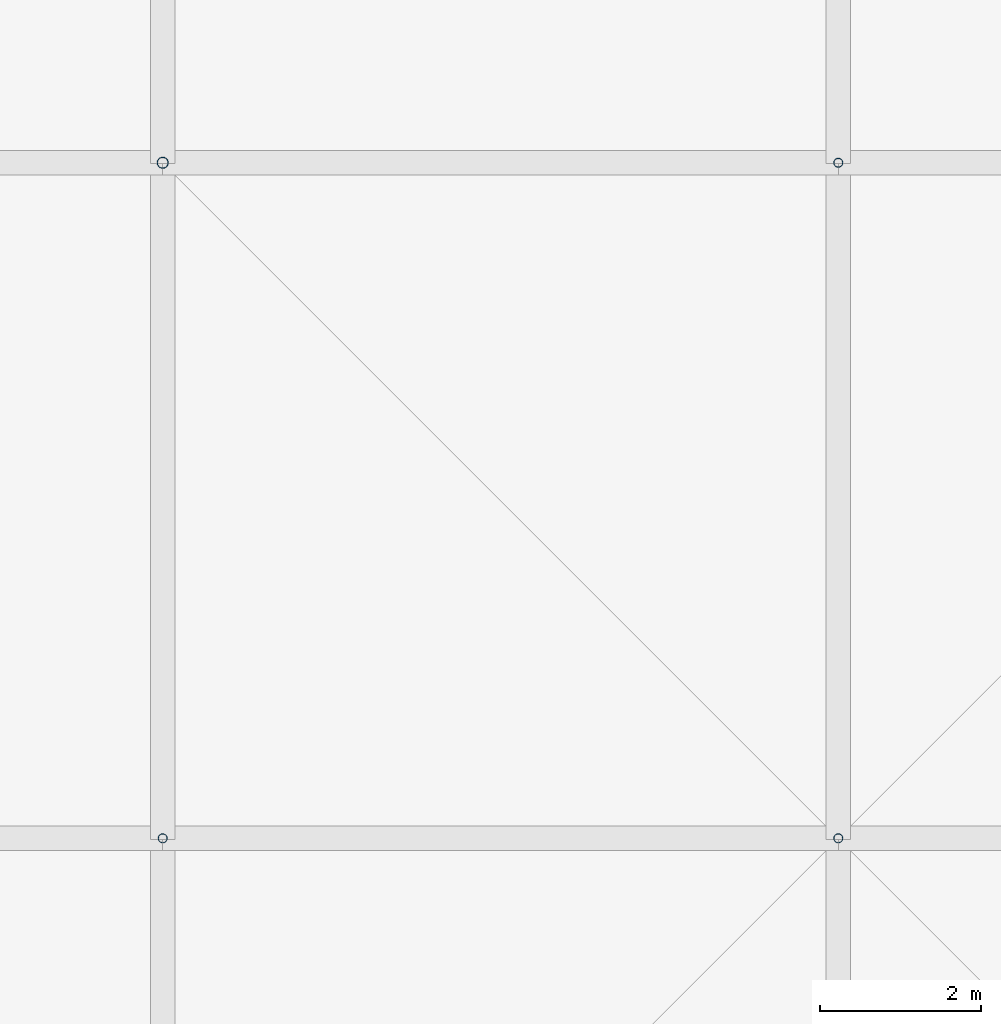
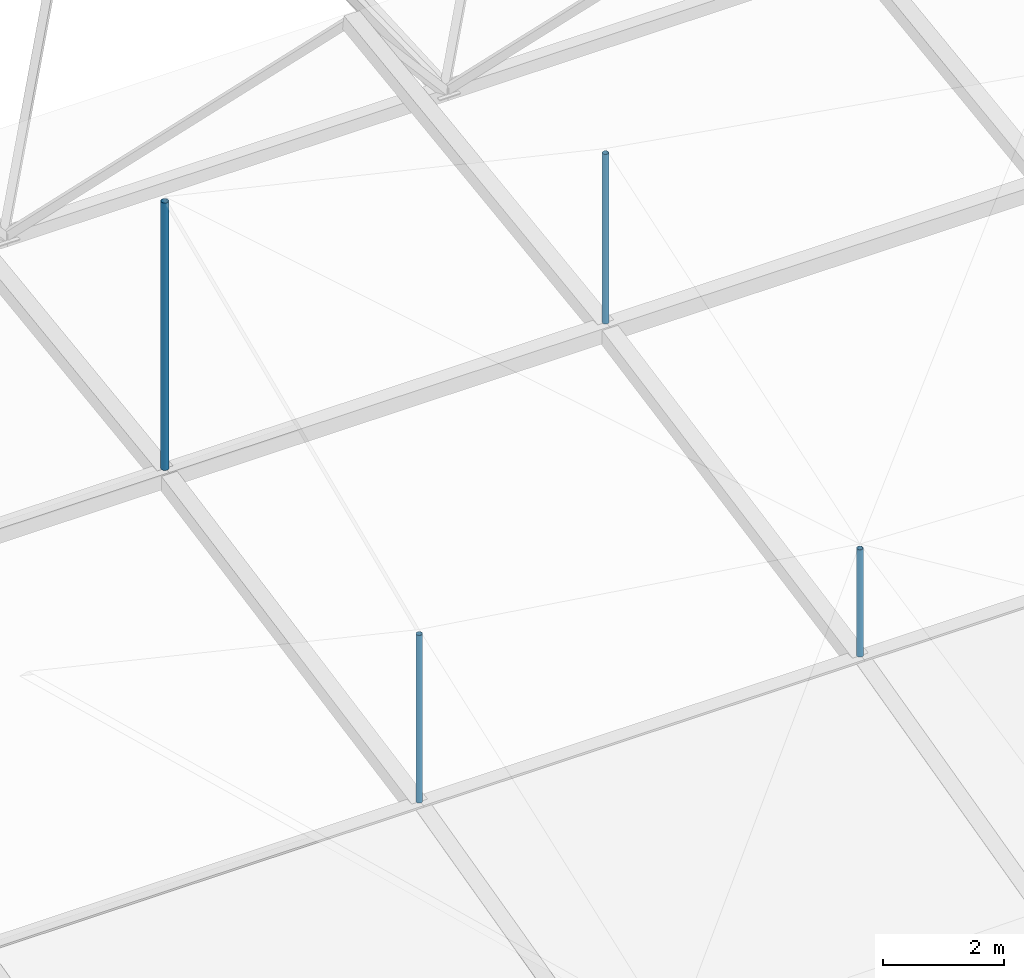
# One storey, part 37 of 111: 4 discrete accessories.
"""IFC4 building model written with IfcOpenShell, lengths in metres."""

from ifc_helpers import new_model, si_unit, direction, frame, origin, origin_2d, place, context, subcontext, project, spatial, hollow_circle, extrude, material, material_profile, profile_set, type_object, element, save


model = new_model("IFC4")

# Units and contexts
model_context = context("Model", 3, precision=1e-05, world=origin(), true_north=direction((0.0, 1.0)))
body_context = subcontext(model_context, "Body", "Model", "MODEL_VIEW")
ifc_project = project(units=[si_unit("LENGTHUNIT", "METRE"), si_unit("AREAUNIT", "SQUARE_METRE"), si_unit("VOLUMEUNIT", "CUBIC_METRE"), si_unit("PLANEANGLEUNIT", "RADIAN"), si_unit("MASSUNIT", "GRAM", prefix="KILO")], contexts=[model_context])

# Site, building, storey
site_placement = place(None, origin())
site = spatial("IfcSite", under=ifc_project, at=site_placement, CompositionType="ELEMENT")
building_placement = place(site_placement, origin())
building = spatial("IfcBuilding", under=site, at=building_placement, Name="Rain Tree Exposition and Congress Centre", CompositionType="ELEMENT")
storey_placement = place(building_placement, frame((0.0, 0.0, 19.5)))
storey = spatial("IfcBuildingStorey", under=building, at=storey_placement, Name="RF", CompositionType="ELEMENT", Elevation=19.5)

# Discrete accessories
ifc_material_1 = material(Name="Steel S355J2H", Category="steel")
ifc_material_profile_1 = material_profile(ifc_material_1, hollow_circle(Radius=0.05712890625, WallThickness=0.00439453125, at=origin_2d()), Name="CHS 114x4.5")
ifc_profile_set_1 = profile_set([ifc_material_profile_1], Name="Steel S355J2H")
discrete_accessory_type_1 = type_object("IfcDiscreteAccessoryType", Name="Roof skin post CHS 114x4.5", PredefinedType="BRACKET", material=ifc_profile_set_1)
discrete_accessory_1_placement = place(storey_placement, frame((100.800048828125, 117.60009765625, 3.22412109375), z_axis=(0.0, 0.0, 1.0), x_axis=(1.0, 0.0, 0.0)))
element("IfcDiscreteAccessory", 1, at=discrete_accessory_1_placement, inside=storey, type_object=discrete_accessory_type_1, Name="Roof skin post A42", PredefinedType="BRACKET", context=body_context, shape_type="SweptSolid", body=[
    extrude(hollow_circle(Radius=0.05712890625, WallThickness=0.00439453125, at=origin_2d()), origin(), (0.0, 0.0, 1.0), 3.37890625),
])
discrete_accessory_2_placement = place(storey_placement, frame((109.199951171875, 117.60009765625, 3.22412109375), z_axis=(0.0, 0.0, 1.0), x_axis=(1.0, 0.0, 0.0)))
element("IfcDiscreteAccessory", 2, at=discrete_accessory_2_placement, inside=storey, type_object=discrete_accessory_type_1, Name="Roof skin post A43", PredefinedType="BRACKET", context=body_context, shape_type="SweptSolid", body=[
    extrude(hollow_circle(Radius=0.05712890625, WallThickness=0.00439453125, at=origin_2d()), origin(), (0.0, 0.0, 1.0), 2.162109375),
])
discrete_accessory_3_placement = place(storey_placement, frame((109.199951171875, 126.0, 4.843017578125), z_axis=(0.0, 0.0, 1.0), x_axis=(1.0, 0.0, 0.0)))
element("IfcDiscreteAccessory", 3, at=discrete_accessory_3_placement, inside=storey, type_object=discrete_accessory_type_1, Name="Roof skin post A58", PredefinedType="BRACKET", context=body_context, shape_type="SweptSolid", body=[
    extrude(hollow_circle(Radius=0.05712890625, WallThickness=0.00439453125, at=origin_2d()), origin(), (0.0, 0.0, 1.0), 3.417236328125),
])
ifc_material_2 = material(Name="Steel S355J2H", Category="steel")
ifc_material_profile_2 = material_profile(ifc_material_2, hollow_circle(Radius=0.06982421875, WallThickness=0.0048828125, at=origin_2d()), Name="CHS 140x5")
ifc_profile_set_2 = profile_set([ifc_material_profile_2], Name="Steel S355J2H")
discrete_accessory_type_2 = type_object("IfcDiscreteAccessoryType", Name="Roof skin post CHS 140x5", PredefinedType="BRACKET", material=ifc_profile_set_2)
discrete_accessory_4_placement = place(storey_placement, frame((100.800048828125, 126.0, 4.843017578125), z_axis=(0.0, 0.0, 1.0), x_axis=(1.0, 0.0, 0.0)))
element("IfcDiscreteAccessory", 4, at=discrete_accessory_4_placement, inside=storey, type_object=discrete_accessory_type_2, Name="Roof skin post A57", PredefinedType="BRACKET", context=body_context, shape_type="SweptSolid", body=[
    extrude(hollow_circle(Radius=0.06982421875, WallThickness=0.0048828125, at=origin_2d()), origin(), (0.0, 0.0, 1.0), 5.38671875),
])

save(model, "model.ifc")
